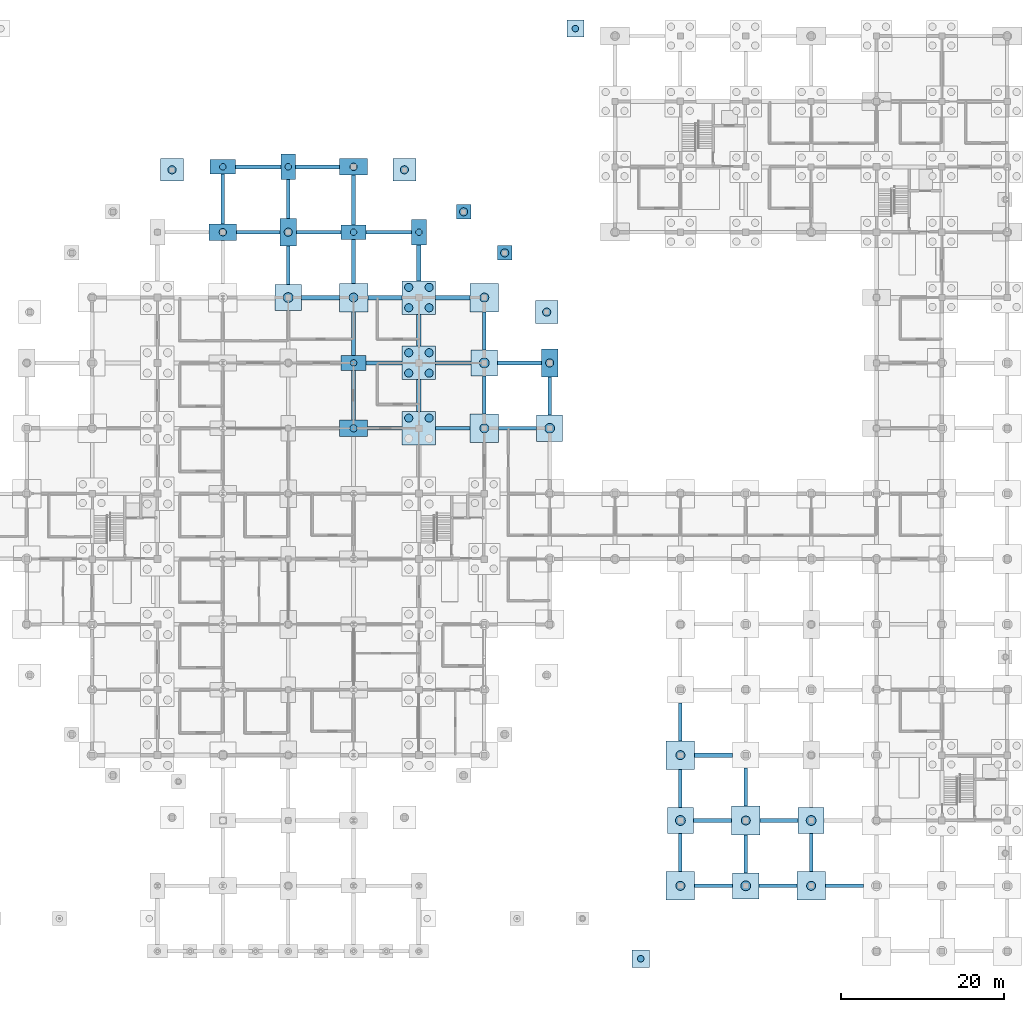
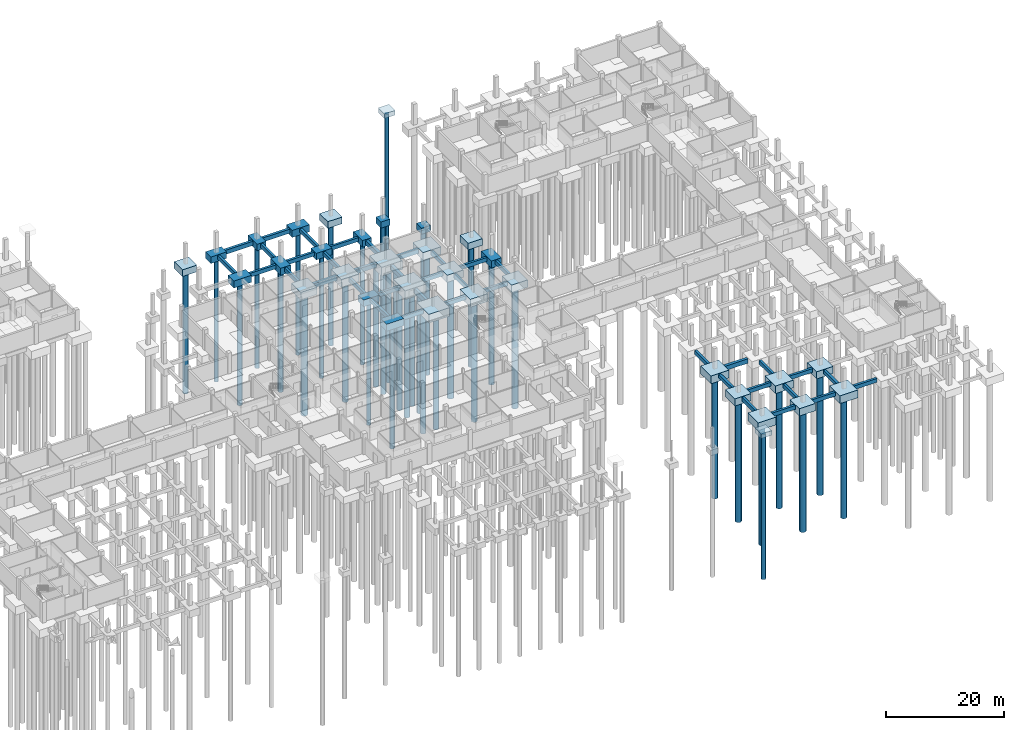
# One storey, part 8 of 48: 72 footings, 40 piles.
"""IFC4 building model written with IfcOpenShell, lengths in metres."""

from ifc_helpers import new_model, si_unit, derived_unit, direction, frame, origin, origin_2d, place, context, subcontext, project, spatial, rectangle, circle, extrude, material, material_profile, profile_set, type_object, element, save


model = new_model("IFC4")

# Units and contexts
model_context = context("Model", 3, precision=1e-05, world=origin(), true_north=direction((0.0, 1.0)))
body_context = subcontext(model_context, "Body", "Model", "MODEL_VIEW")
ifc_project = project(units=[si_unit("LENGTHUNIT", "METRE"), si_unit("AREAUNIT", "SQUARE_METRE"), si_unit("VOLUMEUNIT", "CUBIC_METRE"), si_unit("PLANEANGLEUNIT", "RADIAN"), si_unit("MASSUNIT", "GRAM", prefix="KILO"), derived_unit("THERMALTRANSMITTANCEUNIT", [(si_unit("MASSUNIT", "GRAM", prefix="KILO"), 1), (si_unit("TIMEUNIT", "SECOND"), -3), (si_unit("THERMODYNAMICTEMPERATUREUNIT", "KELVIN"), -1)])], contexts=[model_context])

# Site, building, storey
site_placement = place(None, origin())
site = spatial("IfcSite", under=ifc_project, at=site_placement, CompositionType="ELEMENT")
building_placement = place(site_placement, origin())
building = spatial("IfcBuilding", under=site, at=building_placement, Name="Veyamyaing Civic Hall", CompositionType="ELEMENT")
storey_placement = place(building_placement, frame((0.0, 0.0, -4.2900390625)))
storey = spatial("IfcBuildingStorey", under=building, at=storey_placement, Name="B1", CompositionType="ELEMENT", Elevation=-4.2900390625)

# Footings
ifc_material_1 = material(Name="Concrete C40/50", Category="concrete")
ifc_material_profile_1 = material_profile(ifc_material_1, rectangle(XDim=0.5, YDim=0.85009765625, at=origin_2d()), Name="GB-500X850")
ifc_profile_set_1 = profile_set([ifc_material_profile_1], Name="Concrete C40/50")
footing_type_1 = type_object("IfcFootingType", Name="GB-01", PredefinedType="FOOTING_BEAM", material=ifc_profile_set_1)
footing_1_placement = place(storey_placement, frame((81.550048828125, 96.0, -0.574951171875), z_axis=(1.0, 0.0, 0.0), x_axis=(0.0, 1.0, 0.0)))
element("IfcFooting", 1, at=footing_1_placement, inside=storey, type_object=footing_type_1, Name="Footing tie beam GB-01 X 10-12", PredefinedType="FOOTING_BEAM", context=body_context, shape_type="SweptSolid", body=[
    extrude(rectangle(XDim=0.5, YDim=0.85009765625, at=origin_2d()), origin(), (0.0, 0.0, 1.0), 5.550048828125),
])
footing_2_placement = place(storey_placement, frame((88.89990234375, 96.0, -0.574951171875), z_axis=(1.0, 0.0, 0.0), x_axis=(0.0, 1.0, 0.0)))
element("IfcFooting", 2, at=footing_2_placement, inside=storey, type_object=footing_type_1, Name="Footing tie beam GB-01 X 11-12", PredefinedType="FOOTING_BEAM", context=body_context, shape_type="SweptSolid", body=[
    extrude(rectangle(XDim=0.5, YDim=0.85009765625, at=origin_2d()), origin(), (0.0, 0.0, 1.0), 5.400146484375),
])
ifc_material_profile_2 = material_profile(ifc_material_1, rectangle(XDim=0.449951171875, YDim=0.800048828125, at=origin_2d()), Name="GB-450X800")
ifc_profile_set_2 = profile_set([ifc_material_profile_2], Name="Concrete C40/50")
footing_type_2 = type_object("IfcFootingType", Name="GB-02", PredefinedType="FOOTING_BEAM", material=ifc_profile_set_2)
footing_3_placement = place(storey_placement, frame((81.699951171875, 88.0, -0.550048828125), z_axis=(1.0, 0.0, 0.0), x_axis=(0.0, 1.0, 0.0)))
element("IfcFooting", 3, at=footing_3_placement, inside=storey, type_object=footing_type_2, Name="Footing tie beam GB-02 X 10-11", PredefinedType="FOOTING_BEAM", context=body_context, shape_type="SweptSolid", body=[
    extrude(rectangle(XDim=0.449951171875, YDim=0.800048828125, at=origin_2d()), origin(), (0.0, 0.0, 1.0), 5.300048828125),
])
footing_4_placement = place(storey_placement, frame((80.0, 89.0, -0.550048828125), z_axis=(0.0, 1.0, 0.0), x_axis=(-1.0, 0.0, 0.0)))
element("IfcFooting", 4, at=footing_4_placement, inside=storey, type_object=footing_type_2, Name="Footing tie beam GB-02 Y 10-11", PredefinedType="FOOTING_BEAM", context=body_context, shape_type="SweptSolid", body=[
    extrude(rectangle(XDim=0.449951171875, YDim=0.800048828125, at=origin_2d()), origin(), (0.0, 0.0, 1.0), 6.10009765625),
])
footing_5_placement = place(storey_placement, frame((88.0, 81.60009765625, -0.550048828125), z_axis=(0.0, 1.0, 0.0), x_axis=(-1.0, 0.0, 0.0)))
element("IfcFooting", 5, at=footing_5_placement, inside=storey, type_object=footing_type_2, Name="Footing tie beam GB-02 Y 11-10", PredefinedType="FOOTING_BEAM", context=body_context, shape_type="SweptSolid", body=[
    extrude(rectangle(XDim=0.449951171875, YDim=0.800048828125, at=origin_2d()), origin(), (0.0, 0.0, 1.0), 4.699951171875),
])
footing_6_placement = place(storey_placement, frame((89.0, 88.0, -0.550048828125), z_axis=(1.0, 0.0, 0.0), x_axis=(0.0, 1.0, 0.0)))
element("IfcFooting", 6, at=footing_6_placement, inside=storey, type_object=footing_type_2, Name="Footing tie beam GB-02 X 11-11", PredefinedType="FOOTING_BEAM", context=body_context, shape_type="SweptSolid", body=[
    extrude(rectangle(XDim=0.449951171875, YDim=0.800048828125, at=origin_2d()), origin(), (0.0, 0.0, 1.0), 5.449951171875),
])
footing_7_placement = place(storey_placement, frame((88.0, 89.699951171875, -0.550048828125), z_axis=(0.0, 1.0, 0.0), x_axis=(-1.0, 0.0, 0.0)))
element("IfcFooting", 7, at=footing_7_placement, inside=storey, type_object=footing_type_2, Name="Footing tie beam GB-02 Y 11-11", PredefinedType="FOOTING_BEAM", context=body_context, shape_type="SweptSolid", body=[
    extrude(rectangle(XDim=0.449951171875, YDim=0.800048828125, at=origin_2d()), origin(), (0.0, 0.0, 1.0), 4.75),
])
footing_8_placement = place(storey_placement, frame((97.699951171875, 64.0, -0.550048828125), z_axis=(1.0, 0.0, 0.0), x_axis=(0.0, 1.0, 0.0)))
element("IfcFooting", 8, at=footing_8_placement, inside=storey, type_object=footing_type_2, Name="Footing tie beam GB-02 X 12-8", PredefinedType="FOOTING_BEAM", context=body_context, shape_type="SweptSolid", body=[
    extrude(rectangle(XDim=0.449951171875, YDim=0.800048828125, at=origin_2d()), origin(), (0.0, 0.0, 1.0), 4.25),
])
footing_9_placement = place(storey_placement, frame((96.0, 65.0, -0.550048828125), z_axis=(0.0, 1.0, 0.0), x_axis=(-1.0, 0.0, 0.0)))
element("IfcFooting", 9, at=footing_9_placement, inside=storey, type_object=footing_type_2, Name="Footing tie beam GB-02 Y 12-8", PredefinedType="FOOTING_BEAM", context=body_context, shape_type="SweptSolid", body=[
    extrude(rectangle(XDim=0.449951171875, YDim=0.800048828125, at=origin_2d()), origin(), (0.0, 0.0, 1.0), 6.10009765625),
])
footing_10_placement = place(storey_placement, frame((97.550048828125, 72.0, -0.550048828125), z_axis=(1.0, 0.0, 0.0), x_axis=(0.0, 1.0, 0.0)))
element("IfcFooting", 10, at=footing_10_placement, inside=storey, type_object=footing_type_2, Name="Footing tie beam GB-02 X 12-9", PredefinedType="FOOTING_BEAM", context=body_context, shape_type="SweptSolid", body=[
    extrude(rectangle(XDim=0.449951171875, YDim=0.800048828125, at=origin_2d()), origin(), (0.0, 0.0, 1.0), 4.39990234375),
])
for number, where, z_axis, x_axis, name in (
    (11, (96.0, 72.89990234375, -0.550048828125), (0.0, 1.0, 0.0), (-1.0, 0.0, 0.0), "Footing tie beam GB-02 Y 12-9"),
    (12, (96.0, 81.75, -0.550048828125), (0.0, 1.0, 0.0), (-1.0, 0.0, 0.0), "Footing tie beam GB-02 Y 12-10"),
):
    element("IfcFooting", number, at=place(storey_placement, frame(where, z_axis=z_axis, x_axis=x_axis)), inside=storey, type_object=footing_type_2, Name=name, PredefinedType="FOOTING_BEAM", context=body_context, shape_type="SweptSolid", body=[
        extrude(rectangle(XDim=0.449951171875, YDim=0.800048828125, at=origin_2d()), origin(), (0.0, 0.0, 1.0), 5.35009765625),
    ])
footing_11_placement = place(storey_placement, frame((97.550048828125, 88.0, -0.550048828125), z_axis=(1.0, 0.0, 0.0), x_axis=(0.0, 1.0, 0.0)))
element("IfcFooting", 13, at=footing_11_placement, inside=storey, type_object=footing_type_2, Name="Footing tie beam GB-02 X 12-11", PredefinedType="FOOTING_BEAM", context=body_context, shape_type="SweptSolid", body=[
    extrude(rectangle(XDim=0.449951171875, YDim=0.800048828125, at=origin_2d()), origin(), (0.0, 0.0, 1.0), 5.550048828125),
])
footing_12_placement = place(storey_placement, frame((96.0, 88.89990234375, -0.550048828125), z_axis=(0.0, 1.0, 0.0), x_axis=(-1.0, 0.0, 0.0)))
element("IfcFooting", 14, at=footing_12_placement, inside=storey, type_object=footing_type_2, Name="Footing tie beam GB-02 Y 12-11", PredefinedType="FOOTING_BEAM", context=body_context, shape_type="SweptSolid", body=[
    extrude(rectangle(XDim=0.449951171875, YDim=0.800048828125, at=origin_2d()), origin(), (0.0, 0.0, 1.0), 6.10009765625),
])
footing_13_placement = place(storey_placement, frame((106.050048828125, 64.0, -0.550048828125), z_axis=(1.0, 0.0, 0.0), x_axis=(0.0, 1.0, 0.0)))
element("IfcFooting", 15, at=footing_13_placement, inside=storey, type_object=footing_type_2, Name="Footing tie beam GB-02 X 13-8", PredefinedType="FOOTING_BEAM", context=body_context, shape_type="SweptSolid", body=[
    extrude(rectangle(XDim=0.449951171875, YDim=0.800048828125, at=origin_2d()), origin(), (0.0, 0.0, 1.0), 4.199951171875),
])
footing_14_placement = place(storey_placement, frame((106.050048828125, 72.0, -0.550048828125), z_axis=(1.0, 0.0, 0.0), x_axis=(0.0, 1.0, 0.0)))
element("IfcFooting", 16, at=footing_14_placement, inside=storey, type_object=footing_type_2, Name="Footing tie beam GB-02 X 13-9", PredefinedType="FOOTING_BEAM", context=body_context, shape_type="SweptSolid", body=[
    extrude(rectangle(XDim=0.449951171875, YDim=0.800048828125, at=origin_2d()), origin(), (0.0, 0.0, 1.0), 4.349853515625),
])
for number, where, z_axis, x_axis, name in (
    (17, (113.75, 64.0, -0.550048828125), (1.0, 0.0, 0.0), (0.0, 1.0, 0.0), "Footing tie beam GB-02 X 14-8"),
    (18, (112.0, 65.75, -0.550048828125), (0.0, 1.0, 0.0), (-1.0, 0.0, 0.0), "Footing tie beam GB-02 Y 14-8"),
):
    element("IfcFooting", number, at=place(storey_placement, frame(where, z_axis=z_axis, x_axis=x_axis)), inside=storey, type_object=footing_type_2, Name=name, PredefinedType="FOOTING_BEAM", context=body_context, shape_type="SweptSolid", body=[
        extrude(rectangle(XDim=0.449951171875, YDim=0.800048828125, at=origin_2d()), origin(), (0.0, 0.0, 1.0), 4.64990234375),
    ])
footing_15_placement = place(storey_placement, frame((113.60009765625, 72.0, -0.550048828125), z_axis=(1.0, 0.0, 0.0), x_axis=(0.0, 1.0, 0.0)))
element("IfcFooting", 19, at=footing_15_placement, inside=storey, type_object=footing_type_2, Name="Footing tie beam GB-02 X 14-9", PredefinedType="FOOTING_BEAM", context=body_context, shape_type="SweptSolid", body=[
    extrude(rectangle(XDim=0.449951171875, YDim=0.800048828125, at=origin_2d()), origin(), (0.0, 0.0, 1.0), 5.39990234375),
])
footing_16_placement = place(storey_placement, frame((112.0, 73.60009765625, -0.550048828125), z_axis=(0.0, 1.0, 0.0), x_axis=(-1.0, 0.0, 0.0)))
element("IfcFooting", 20, at=footing_16_placement, inside=storey, type_object=footing_type_2, Name="Footing tie beam GB-02 Y 14-9", PredefinedType="FOOTING_BEAM", context=body_context, shape_type="SweptSolid", body=[
    extrude(rectangle(XDim=0.449951171875, YDim=0.800048828125, at=origin_2d()), origin(), (0.0, 0.0, 1.0), 4.64990234375),
])
footing_17_placement = place(storey_placement, frame((120.0, 65.60009765625, -0.550048828125), z_axis=(0.0, 1.0, 0.0), x_axis=(-1.0, 0.0, 0.0)))
element("IfcFooting", 21, at=footing_17_placement, inside=storey, type_object=footing_type_2, Name="Footing tie beam GB-02 Y 15-8", PredefinedType="FOOTING_BEAM", context=body_context, shape_type="SweptSolid", body=[
    extrude(rectangle(XDim=0.449951171875, YDim=0.800048828125, at=origin_2d()), origin(), (0.0, 0.0, 1.0), 4.699951171875),
])
for number, where, z_axis, x_axis, name in (
    (22, (137.75, 8.0, -0.550048828125), (1.0, 0.0, 0.0), (0.0, 1.0, 0.0), "Footing tie beam GB-02 X 17-1"),
    (23, (136.0, 9.75, -0.550048828125), (0.0, 1.0, 0.0), (-1.0, 0.0, 0.0), "Footing tie beam GB-02 Y 17-1"),
    (24, (137.60009765625, 16.0, -0.550048828125), (1.0, 0.0, 0.0), (0.0, 1.0, 0.0), "Footing tie beam GB-02 X 17-2"),
    (25, (136.0, 17.60009765625, -0.550048828125), (0.0, 1.0, 0.0), (-1.0, 0.0, 0.0), "Footing tie beam GB-02 Y 17-2"),
    (26, (136.0, 25.75, -0.550048828125), (0.0, 1.0, 0.0), (-1.0, 0.0, 0.0), "Footing tie beam GB-02 Y 17-3"),
    (27, (145.60009765625, 8.0, -0.550048828125), (1.0, 0.0, 0.0), (0.0, 1.0, 0.0), "Footing tie beam GB-02 X 18-1"),
    (28, (144.0, 9.60009765625, -0.550048828125), (0.0, 1.0, 0.0), (-1.0, 0.0, 0.0), "Footing tie beam GB-02 Y 18-1"),
    (29, (145.75, 16.0, -0.550048828125), (1.0, 0.0, 0.0), (0.0, 1.0, 0.0), "Footing tie beam GB-02 X 18-2"),
    (30, (144.0, 17.75, -0.550048828125), (0.0, 1.0, 0.0), (-1.0, 0.0, 0.0), "Footing tie beam GB-02 Y 18-2"),
    (31, (153.75, 8.0, -0.550048828125), (1.0, 0.0, 0.0), (0.0, 1.0, 0.0), "Footing tie beam GB-02 X 19-1"),
    (32, (152.0, 9.75, -0.550048828125), (0.0, 1.0, 0.0), (-1.0, 0.0, 0.0), "Footing tie beam GB-02 Y 19-1"),
):
    element("IfcFooting", number, at=place(storey_placement, frame(where, z_axis=z_axis, x_axis=x_axis)), inside=storey, type_object=footing_type_2, Name=name, PredefinedType="FOOTING_BEAM", context=body_context, shape_type="SweptSolid", body=[
        extrude(rectangle(XDim=0.449951171875, YDim=0.800048828125, at=origin_2d()), origin(), (0.0, 0.0, 1.0), 4.64990234375),
    ])
ifc_material_profile_3 = material_profile(ifc_material_1, rectangle(XDim=0.550048828125, YDim=0.89990234375, at=origin_2d()), Name="GB-550X900")
ifc_profile_set_3 = profile_set([ifc_material_profile_3], Name="Concrete C40/50")
footing_type_3 = type_object("IfcFootingType", Name="GB-04", PredefinedType="FOOTING_BEAM", material=ifc_profile_set_3)
footing_18_placement = place(storey_placement, frame((89.60009765625, 80.0, -0.599853515625), z_axis=(1.0, 0.0, 0.0), x_axis=(0.0, 1.0, 0.0)))
element("IfcFooting", 33, at=footing_18_placement, inside=storey, type_object=footing_type_3, Name="Footing tie beam GB-04 X 11-10", PredefinedType="FOOTING_BEAM", context=body_context, shape_type="SweptSolid", body=[
    extrude(rectangle(XDim=0.550048828125, YDim=0.89990234375, at=origin_2d()), origin(), (0.0, 0.0, 1.0), 4.64990234375),
])
footing_19_placement = place(storey_placement, frame((97.75, 80.0, -0.599853515625), z_axis=(1.0, 0.0, 0.0), x_axis=(0.0, 1.0, 0.0)))
element("IfcFooting", 34, at=footing_19_placement, inside=storey, type_object=footing_type_3, Name="Footing tie beam GB-04 X 12-10", PredefinedType="FOOTING_BEAM", context=body_context, shape_type="SweptSolid", body=[
    extrude(rectangle(XDim=0.550048828125, YDim=0.89990234375, at=origin_2d()), origin(), (0.0, 0.0, 1.0), 4.199951171875),
])
for number, where, z_axis, x_axis, name in (
    (35, (104.0, 66.050048828125, -0.599853515625), (0.0, 1.0, 0.0), (-1.0, 0.0, 0.0), "Footing tie beam GB-04 Y 13-8"),
    (36, (104.0, 74.050048828125, -0.599853515625), (0.0, 1.0, 0.0), (-1.0, 0.0, 0.0), "Footing tie beam GB-04 Y 13-9"),
):
    element("IfcFooting", number, at=place(storey_placement, frame(where, z_axis=z_axis, x_axis=x_axis)), inside=storey, type_object=footing_type_3, Name=name, PredefinedType="FOOTING_BEAM", context=body_context, shape_type="SweptSolid", body=[
        extrude(rectangle(XDim=0.550048828125, YDim=0.89990234375, at=origin_2d()), origin(), (0.0, 0.0, 1.0), 3.89990234375),
    ])
footing_20_placement = place(storey_placement, frame((106.050048828125, 80.0, -0.599853515625), z_axis=(1.0, 0.0, 0.0), x_axis=(0.0, 1.0, 0.0)))
element("IfcFooting", 37, at=footing_20_placement, inside=storey, type_object=footing_type_3, Name="Footing tie beam GB-04 X 13-10", PredefinedType="FOOTING_BEAM", context=body_context, shape_type="SweptSolid", body=[
    extrude(rectangle(XDim=0.550048828125, YDim=0.89990234375, at=origin_2d()), origin(), (0.0, 0.0, 1.0), 4.199951171875),
])
footing_21_placement = place(storey_placement, frame((104.0, 82.050048828125, -0.599853515625), z_axis=(0.0, 1.0, 0.0), x_axis=(-1.0, 0.0, 0.0)))
element("IfcFooting", 38, at=footing_21_placement, inside=storey, type_object=footing_type_3, Name="Footing tie beam GB-04 Y 13-10", PredefinedType="FOOTING_BEAM", context=body_context, shape_type="SweptSolid", body=[
    extrude(rectangle(XDim=0.550048828125, YDim=0.89990234375, at=origin_2d()), origin(), (0.0, 0.0, 1.0), 4.39990234375),
])
footing_22_placement = place(storey_placement, frame((137.75, 24.0, -0.599853515625), z_axis=(1.0, 0.0, 0.0), x_axis=(0.0, 1.0, 0.0)))
element("IfcFooting", 39, at=footing_22_placement, inside=storey, type_object=footing_type_3, Name="Footing tie beam GB-04 X 17-3", PredefinedType="FOOTING_BEAM", context=body_context, shape_type="SweptSolid", body=[
    extrude(rectangle(XDim=0.550048828125, YDim=0.89990234375, at=origin_2d()), origin(), (0.0, 0.0, 1.0), 4.64990234375),
])

# Piles
ifc_material_2 = material(Name="Concrete C35/45", Category="concrete")
ifc_material_profile_4 = material_profile(ifc_material_2, circle(Radius=0.60009765625, at=origin_2d()), Name="PILE-D1200")
ifc_profile_set_4 = profile_set([ifc_material_profile_4], Name="Concrete C35/45")
pile_type_1 = type_object("IfcPileType", Name="P-01", PredefinedType="BORED", material=ifc_profile_set_4)
for number, where, z_axis, x_axis, name in (
    (40, (88.0, 80.0, -1.39990234375), (0.0, 0.0, -1.0), (1.0, 0.0, 0.0), "Bored pile P-01 G11-10.1"),
    (41, (112.0, 72.0, -1.39990234375), (0.0, 0.0, -1.0), (1.0, 0.0, 0.0), "Bored pile P-01 G14-09.1"),
    (42, (120.0, 64.0, -1.39990234375), (0.0, 0.0, -1.0), (1.0, 0.0, 0.0), "Bored pile P-01 G15-08.1"),
    (43, (136.0, 16.0, -1.39990234375), (0.0, 0.0, -1.0), (1.0, 0.0, 0.0), "Bored pile P-01 G17-02.1"),
    (44, (144.0, 8.0, -1.39990234375), (0.0, 0.0, -1.0), (1.0, 0.0, 0.0), "Bored pile P-01 G18-01.1"),
    (45, (152.0, 16.0, -1.39990234375), (0.0, 0.0, -1.0), (1.0, 0.0, 0.0), "Bored pile P-01 G19-02.1"),
):
    element("IfcPile", number, at=place(storey_placement, frame(where, z_axis=z_axis, x_axis=x_axis)), inside=storey, type_object=pile_type_1, Name=name, PredefinedType="BORED", context=body_context, shape_type="SweptSolid", body=[
        extrude(circle(Radius=0.60009765625, at=origin_2d()), origin(), (0.0, 0.0, 1.0), 25.31005859375),
    ])
ifc_material_profile_5 = material_profile(ifc_material_2, circle(Radius=0.550048828125, at=origin_2d()), Name="PILE-D1100")
ifc_profile_set_5 = profile_set([ifc_material_profile_5], Name="Concrete C35/45")
pile_type_2 = type_object("IfcPileType", Name="P-02", PredefinedType="BORED", material=ifc_profile_set_5)
for number, where, z_axis, x_axis, name in (
    (46, (96.0, 80.0, -1.5), (0.0, 0.0, -1.0), (1.0, 0.0, 0.0), "Bored pile P-02 G12-10.1"),
    (47, (112.0, 64.0, -1.5), (0.0, 0.0, -1.0), (1.0, 0.0, 0.0), "Bored pile P-02 G14-08.1"),
    (48, (112.0, 80.0, -1.5), (0.0, 0.0, -1.0), (1.0, 0.0, 0.0), "Bored pile P-02 G14-10.1"),
    (49, (136.0, 8.0, -1.5), (0.0, 0.0, -1.0), (1.0, 0.0, 0.0), "Bored pile P-02 G17-01.1"),
    (50, (136.0, 24.0, -1.5), (0.0, 0.0, -1.0), (1.0, 0.0, 0.0), "Bored pile P-02 G17-03.1"),
    (51, (144.0, 16.0, -1.5), (0.0, 0.0, -1.0), (1.0, 0.0, 0.0), "Bored pile P-02 G18-02.1"),
    (52, (152.0, 8.0, -1.5), (0.0, 0.0, -1.0), (1.0, 0.0, 0.0), "Bored pile P-02 G19-01.1"),
):
    element("IfcPile", number, at=place(storey_placement, frame(where, z_axis=z_axis, x_axis=x_axis)), inside=storey, type_object=pile_type_2, Name=name, PredefinedType="BORED", context=body_context, shape_type="SweptSolid", body=[
        extrude(circle(Radius=0.550048828125, at=origin_2d()), origin(), (0.0, 0.0, 1.0), 25.2099609375),
    ])
ifc_material_profile_6 = material_profile(ifc_material_2, circle(Radius=0.5, at=origin_2d()), Name="PILE-D1000")
ifc_profile_set_6 = profile_set([ifc_material_profile_6], Name="Concrete C35/45")
pile_type_3 = type_object("IfcPileType", Name="P-03", PredefinedType="BORED", material=ifc_profile_set_6)
pile_1_placement = place(storey_placement, frame((88.0, 88.0, -1.349853515625), z_axis=(0.0, 0.0, -1.0), x_axis=(1.0, 0.0, 0.0)))
element("IfcPile", 53, at=pile_1_placement, inside=storey, type_object=pile_type_3, Name="Bored pile P-03 G11-11.1", PredefinedType="BORED", context=body_context, shape_type="SweptSolid", body=[
    extrude(circle(Radius=0.5, at=origin_2d()), origin(), (0.0, 0.0, 1.0), 25.360107421875),
])
for number, where, z_axis, x_axis, name in (
    (54, (102.75, 65.25, -1.699951171875), (0.0, 0.0, -1.0), (1.0, 0.0, 0.0), "Bored pile P-03 G13-08.2"),
    (55, (105.25, 65.25, -1.699951171875), (0.0, 0.0, -1.0), (1.0, 0.0, 0.0), "Bored pile P-03 G13-08.4"),
    (56, (102.75, 70.75, -1.699951171875), (0.0, 0.0, -1.0), (1.0, 0.0, 0.0), "Bored pile P-03 G13-09.1"),
    (57, (102.75, 73.25, -1.699951171875), (0.0, 0.0, -1.0), (1.0, 0.0, 0.0), "Bored pile P-03 G13-09.2"),
    (58, (105.25, 70.75, -1.699951171875), (0.0, 0.0, -1.0), (1.0, 0.0, 0.0), "Bored pile P-03 G13-09.3"),
    (59, (105.25, 73.25, -1.699951171875), (0.0, 0.0, -1.0), (1.0, 0.0, 0.0), "Bored pile P-03 G13-09.4"),
    (60, (102.75, 78.75, -1.699951171875), (0.0, 0.0, -1.0), (1.0, 0.0, 0.0), "Bored pile P-03 G13-10.1"),
    (61, (102.75, 81.25, -1.699951171875), (0.0, 0.0, -1.0), (1.0, 0.0, 0.0), "Bored pile P-03 G13-10.2"),
    (62, (105.25, 78.75, -1.699951171875), (0.0, 0.0, -1.0), (1.0, 0.0, 0.0), "Bored pile P-03 G13-10.3"),
    (63, (105.25, 81.25, -1.699951171875), (0.0, 0.0, -1.0), (1.0, 0.0, 0.0), "Bored pile P-03 G13-10.4"),
):
    element("IfcPile", number, at=place(storey_placement, frame(where, z_axis=z_axis, x_axis=x_axis)), inside=storey, type_object=pile_type_3, Name=name, PredefinedType="BORED", context=body_context, shape_type="SweptSolid", body=[
        extrude(circle(Radius=0.5, at=origin_2d()), origin(), (0.0, 0.0, 1.0), 25.010009765625),
    ])
pile_2_placement = place(storey_placement, frame((120.0, 72.0, -1.349853515625), z_axis=(0.0, 0.0, -1.0), x_axis=(1.0, 0.0, 0.0)))
element("IfcPile", 64, at=pile_2_placement, inside=storey, type_object=pile_type_3, Name="Bored pile P-03 G15-09.1", PredefinedType="BORED", context=body_context, shape_type="SweptSolid", body=[
    extrude(circle(Radius=0.5, at=origin_2d()), origin(), (0.0, 0.0, 1.0), 25.360107421875),
])
pile_3_placement = place(storey_placement, frame((119.63623046875, 78.220703125, -1.300048828125), z_axis=(0.0, 0.0, -1.0), x_axis=(1.0, 0.0, 0.0)))
element("IfcPile", 65, at=pile_3_placement, inside=storey, type_object=pile_type_3, Name="Bored pile P-03 ARC-NE-00.1", PredefinedType="BORED", context=body_context, shape_type="SweptSolid", body=[
    extrude(circle(Radius=0.5, at=origin_2d()), origin(), (0.0, 0.0, 1.0), 25.409912109375),
])
for number, where, z_axis, x_axis, name in (
    (66, (114.4951171875, 85.466552734375, -1.14990234375), (0.0, 0.0, -1.0), (1.0, 0.0, 0.0), "Bored pile P-03 ARC-NE-05.1"),
    (67, (109.466552734375, 90.4951171875, -1.14990234375), (0.0, 0.0, -1.0), (1.0, 0.0, 0.0), "Bored pile P-03 ARC-NE-09.1"),
):
    element("IfcPile", number, at=place(storey_placement, frame(where, z_axis=z_axis, x_axis=x_axis)), inside=storey, type_object=pile_type_3, Name=name, PredefinedType="BORED", context=body_context, shape_type="SweptSolid", body=[
        extrude(circle(Radius=0.5, at=origin_2d()), origin(), (0.0, 0.0, 1.0), 25.56005859375),
    ])
for number, where, z_axis, x_axis, name in (
    (68, (102.220703125, 95.63623046875, -1.300048828125), (0.0, 0.0, -1.0), (1.0, 0.0, 0.0), "Bored pile P-03 ARC-NE-14.1"),
    (69, (73.779296875, 95.63623046875, -1.300048828125), (0.0, 0.0, -1.0), (1.0, 0.0, 0.0), "Bored pile P-03 ARC-NW-00.1"),
):
    element("IfcPile", number, at=place(storey_placement, frame(where, z_axis=z_axis, x_axis=x_axis)), inside=storey, type_object=pile_type_3, Name=name, PredefinedType="BORED", context=body_context, shape_type="SweptSolid", body=[
        extrude(circle(Radius=0.5, at=origin_2d()), origin(), (0.0, 0.0, 1.0), 25.409912109375),
    ])
ifc_material_profile_7 = material_profile(ifc_material_2, circle(Radius=0.449951171875, at=origin_2d()), Name="PILE-D900")
ifc_profile_set_7 = profile_set([ifc_material_profile_7], Name="Concrete C35/45")
pile_type_4 = type_object("IfcPileType", Name="P-04", PredefinedType="BORED", material=ifc_profile_set_7)
for number, where, z_axis, x_axis, name in (
    (70, (80.0, 88.0, -1.349853515625), (0.0, 0.0, -1.0), (1.0, 0.0, 0.0), "Bored pile P-04 G10-11.1"),
    (71, (96.0, 64.0, -1.349853515625), (0.0, 0.0, -1.0), (1.0, 0.0, 0.0), "Bored pile P-04 G12-08.1"),
    (72, (96.0, 96.0, -1.349853515625), (0.0, 0.0, -1.0), (1.0, 0.0, 0.0), "Bored pile P-04 G12-12.1"),
):
    element("IfcPile", number, at=place(storey_placement, frame(where, z_axis=z_axis, x_axis=x_axis)), inside=storey, type_object=pile_type_4, Name=name, PredefinedType="BORED", context=body_context, shape_type="SweptSolid", body=[
        extrude(circle(Radius=0.449951171875, at=origin_2d()), origin(), (0.0, 0.0, 1.0), 25.360107421875),
    ])
ifc_material_profile_8 = material_profile(ifc_material_2, circle(Radius=0.39990234375, at=origin_2d()), Name="PILE-D800")
ifc_profile_set_8 = profile_set([ifc_material_profile_8], Name="Concrete C35/45")
pile_type_5 = type_object("IfcPileType", Name="P-05", PredefinedType="BORED", material=ifc_profile_set_8)
for number, where, z_axis, x_axis, name in (
    (73, (80.0, 96.0, -1.25), (0.0, 0.0, -1.0), (1.0, 0.0, 0.0), "Bored pile P-05 G10-12.1"),
    (74, (88.0, 96.0, -1.25), (0.0, 0.0, -1.0), (1.0, 0.0, 0.0), "Bored pile P-05 G11-12.1"),
    (75, (96.0, 72.0, -1.25), (0.0, 0.0, -1.0), (1.0, 0.0, 0.0), "Bored pile P-05 G12-09.1"),
    (76, (96.0, 88.0, -1.25), (0.0, 0.0, -1.0), (1.0, 0.0, 0.0), "Bored pile P-05 G12-11.1"),
    (77, (104.0, 88.0, -1.25), (0.0, 0.0, -1.0), (1.0, 0.0, 0.0), "Bored pile P-05 G13-11.1"),
):
    element("IfcPile", number, at=place(storey_placement, frame(where, z_axis=z_axis, x_axis=x_axis)), inside=storey, type_object=pile_type_5, Name=name, PredefinedType="BORED", context=body_context, shape_type="SweptSolid", body=[
        extrude(circle(Radius=0.39990234375, at=origin_2d()), origin(), (0.0, 0.0, 1.0), 25.4599609375),
    ])
for number, where, z_axis, x_axis, name in (
    (78, (131.14990234375, -0.919921875, 3.300048828125), (0.0, 0.0, -1.0), (1.0, 0.0, 0.0), "Bored pile P-05 RMP-SE.1"),
    (79, (123.14990234375, 112.919921875, 3.300048828125), (0.0, 0.0, -1.0), (1.0, 0.0, 0.0), "Bored pile P-05 RMP-NE.1"),
):
    element("IfcPile", number, at=place(storey_placement, frame(where, z_axis=z_axis, x_axis=x_axis)), inside=storey, type_object=pile_type_5, Name=name, PredefinedType="BORED", context=body_context, shape_type="SweptSolid", body=[
        extrude(circle(Radius=0.39990234375, at=origin_2d()), origin(), (0.0, 0.0, 1.0), 30.010009765625),
    ])

# Footings
footing_type_4 = type_object("IfcFootingType", Name="PC-02", PredefinedType="PILE_CAP", material=ifc_material_1)
for number, where, z_axis, x_axis, name in (
    (80, (96.0, 80.0, -1.60009765625), (0.0, 0.0, 1.0), (1.0, 0.0, 0.0), "Pile cap PC-02 G12-10"),
    (81, (112.0, 64.0, -1.60009765625), (0.0, 0.0, 1.0), (1.0, 0.0, 0.0), "Pile cap PC-02 G14-08"),
    (82, (112.0, 80.0, -1.60009765625), (0.0, 0.0, 1.0), (1.0, 0.0, 0.0), "Pile cap PC-02 G14-10"),
    (83, (136.0, 8.0, -1.60009765625), (0.0, 0.0, 1.0), (1.0, 0.0, 0.0), "Pile cap PC-02 G17-01"),
    (84, (136.0, 24.0, -1.60009765625), (0.0, 0.0, 1.0), (1.0, 0.0, 0.0), "Pile cap PC-02 G17-03"),
    (85, (144.0, 16.0, -1.60009765625), (0.0, 0.0, 1.0), (1.0, 0.0, 0.0), "Pile cap PC-02 G18-02"),
    (86, (152.0, 8.0, -1.60009765625), (0.0, 0.0, 1.0), (1.0, 0.0, 0.0), "Pile cap PC-02 G19-01"),
):
    element("IfcFooting", number, at=place(storey_placement, frame(where, z_axis=z_axis, x_axis=x_axis)), inside=storey, type_object=footing_type_4, Name=name, PredefinedType="PILE_CAP", context=body_context, shape_type="SweptSolid", body=[
        extrude(rectangle(XDim=3.5, YDim=3.5, at=origin_2d()), origin(), (0.0, 0.0, 1.0), 1.60009765625),
    ])
footing_type_5 = type_object("IfcFootingType", Name="PC-03", PredefinedType="PILE_CAP", material=ifc_material_1)
for number, where, z_axis, x_axis, name in (
    (87, (88.0, 80.0, -1.5), (0.0, 0.0, 1.0), (1.0, 0.0, 0.0), "Pile cap PC-03 G11-10"),
    (88, (112.0, 72.0, -1.5), (0.0, 0.0, 1.0), (1.0, 0.0, 0.0), "Pile cap PC-03 G14-09"),
    (89, (120.0, 64.0, -1.5), (0.0, 0.0, 1.0), (1.0, 0.0, 0.0), "Pile cap PC-03 G15-08"),
    (90, (136.0, 16.0, -1.5), (0.0, 0.0, 1.0), (1.0, 0.0, 0.0), "Pile cap PC-03 G17-02"),
    (91, (144.0, 8.0, -1.5), (0.0, 0.0, 1.0), (1.0, 0.0, 0.0), "Pile cap PC-03 G18-01"),
    (92, (152.0, 16.0, -1.5), (0.0, 0.0, 1.0), (1.0, 0.0, 0.0), "Pile cap PC-03 G19-02"),
):
    element("IfcFooting", number, at=place(storey_placement, frame(where, z_axis=z_axis, x_axis=x_axis)), inside=storey, type_object=footing_type_5, Name=name, PredefinedType="PILE_CAP", context=body_context, shape_type="SweptSolid", body=[
        extrude(rectangle(XDim=3.199951171875, YDim=3.199951171875, at=origin_2d()), origin(), (0.0, 0.0, 1.0), 1.5),
    ])
footing_type_6 = type_object("IfcFootingType", Name="PC-04", PredefinedType="PILE_CAP", material=ifc_material_1)
for number, where, z_axis, x_axis, name in (
    (93, (80.0, 88.0, -1.44970703125), (0.0, 0.0, 1.0), (1.0, 0.0, 0.0), "Pile cap PC-04 G10-11"),
    (94, (96.0, 64.0, -1.44970703125), (0.0, 0.0, 1.0), (1.0, 0.0, 0.0), "Pile cap PC-04 G12-08"),
    (95, (96.0, 96.0, -1.44970703125), (0.0, 0.0, 1.0), (1.0, 0.0, 0.0), "Pile cap PC-04 G12-12"),
):
    element("IfcFooting", number, at=place(storey_placement, frame(where, z_axis=z_axis, x_axis=x_axis)), inside=storey, type_object=footing_type_6, Name=name, PredefinedType="PILE_CAP", context=body_context, shape_type="SweptSolid", body=[
        extrude(rectangle(XDim=3.39990234375, YDim=2.0, at=origin_2d()), origin(), (0.0, 0.0, 1.0), 1.449951171875),
    ])
footing_type_7 = type_object("IfcFootingType", Name="PC-05", PredefinedType="PILE_CAP", material=ifc_material_1)
for number, where, z_axis, x_axis, name in (
    (96, (88.0, 88.0, -1.44970703125), (0.0, 0.0, 1.0), (1.0, 0.0, 0.0), "Pile cap PC-05 G11-11"),
    (97, (120.0, 72.0, -1.44970703125), (0.0, 0.0, 1.0), (1.0, 0.0, 0.0), "Pile cap PC-05 G15-09"),
):
    element("IfcFooting", number, at=place(storey_placement, frame(where, z_axis=z_axis, x_axis=x_axis)), inside=storey, type_object=footing_type_7, Name=name, PredefinedType="PILE_CAP", context=body_context, shape_type="SweptSolid", body=[
        extrude(rectangle(XDim=2.0, YDim=3.39990234375, at=origin_2d()), origin(), (0.0, 0.0, 1.0), 1.449951171875),
    ])
footing_type_8 = type_object("IfcFootingType", Name="PC-06", PredefinedType="PILE_CAP", material=ifc_material_1)
for number, where, z_axis, x_axis, name in (
    (98, (80.0, 96.0, -1.35009765625), (0.0, 0.0, 1.0), (1.0, 0.0, 0.0), "Pile cap PC-06 G10-12"),
    (99, (96.0, 72.0, -1.35009765625), (0.0, 0.0, 1.0), (1.0, 0.0, 0.0), "Pile cap PC-06 G12-09"),
    (100, (96.0, 88.0, -1.35009765625), (0.0, 0.0, 1.0), (1.0, 0.0, 0.0), "Pile cap PC-06 G12-11"),
):
    element("IfcFooting", number, at=place(storey_placement, frame(where, z_axis=z_axis, x_axis=x_axis)), inside=storey, type_object=footing_type_8, Name=name, PredefinedType="PILE_CAP", context=body_context, shape_type="SweptSolid", body=[
        extrude(rectangle(XDim=3.10009765625, YDim=1.800048828125, at=origin_2d()), origin(), (0.0, 0.0, 1.0), 1.35009765625),
    ])
footing_type_9 = type_object("IfcFootingType", Name="PC-07", PredefinedType="PILE_CAP", material=ifc_material_1)
for number, where, z_axis, x_axis, name in (
    (101, (88.0, 96.0, -1.35009765625), (0.0, 0.0, 1.0), (1.0, 0.0, 0.0), "Pile cap PC-07 G11-12"),
    (102, (104.0, 88.0, -1.35009765625), (0.0, 0.0, 1.0), (1.0, 0.0, 0.0), "Pile cap PC-07 G13-11"),
):
    element("IfcFooting", number, at=place(storey_placement, frame(where, z_axis=z_axis, x_axis=x_axis)), inside=storey, type_object=footing_type_9, Name=name, PredefinedType="PILE_CAP", context=body_context, shape_type="SweptSolid", body=[
        extrude(rectangle(XDim=1.800048828125, YDim=3.10009765625, at=origin_2d()), origin(), (0.0, 0.0, 1.0), 1.35009765625),
    ])
footing_type_10 = type_object("IfcFootingType", Name="PC-08", PredefinedType="PILE_CAP", material=ifc_material_1)
for number, where, z_axis, x_axis, name in (
    (103, (119.63623046875, 78.220703125, -1.39990234375), (0.0, 0.0, 1.0), (1.0, 0.0, 0.0), "Pile cap PC-08 ARC-NE-00"),
    (104, (102.220703125, 95.63623046875, -1.39990234375), (0.0, 0.0, 1.0), (1.0, 0.0, 0.0), "Pile cap PC-08 ARC-NE-14"),
    (105, (73.779296875, 95.63623046875, -1.39990234375), (0.0, 0.0, 1.0), (1.0, 0.0, 0.0), "Pile cap PC-08 ARC-NW-00"),
):
    element("IfcFooting", number, at=place(storey_placement, frame(where, z_axis=z_axis, x_axis=x_axis)), inside=storey, type_object=footing_type_10, Name=name, PredefinedType="PILE_CAP", context=body_context, shape_type="SweptSolid", body=[
        extrude(rectangle(XDim=2.800048828125, YDim=2.800048828125, at=origin_2d()), origin(), (0.0, 0.0, 1.0), 1.39990234375),
    ])
footing_type_11 = type_object("IfcFootingType", Name="PC-11", PredefinedType="PILE_CAP", material=ifc_material_1)
for number, where, z_axis, x_axis, name in (
    (106, (104.0, 64.0, -1.7998046875), (0.0, 0.0, 1.0), (1.0, 0.0, 0.0), "Pile cap PC-11 G13-08"),
    (107, (104.0, 72.0, -1.7998046875), (0.0, 0.0, 1.0), (1.0, 0.0, 0.0), "Pile cap PC-11 G13-09"),
    (108, (104.0, 80.0, -1.7998046875), (0.0, 0.0, 1.0), (1.0, 0.0, 0.0), "Pile cap PC-11 G13-10"),
):
    element("IfcFooting", number, at=place(storey_placement, frame(where, z_axis=z_axis, x_axis=x_axis)), inside=storey, type_object=footing_type_11, Name=name, PredefinedType="PILE_CAP", context=body_context, shape_type="SweptSolid", body=[
        extrude(rectangle(XDim=4.10009765625, YDim=4.10009765625, at=origin_2d()), origin(), (0.0, 0.0, 1.0), 1.800048828125),
    ])
footing_type_12 = type_object("IfcFootingType", Name="PC-13", PredefinedType="PILE_CAP", material=ifc_material_1)
for number, where, z_axis, x_axis, name in (
    (109, (131.14990234375, -0.919921875, 3.2001953125), (0.0, 0.0, 1.0), (1.0, 0.0, 0.0), "Pile cap PC-13 RMP-SE"),
    (110, (123.14990234375, 112.919921875, 3.2001953125), (0.0, 0.0, 1.0), (1.0, 0.0, 0.0), "Pile cap PC-13 RMP-NE"),
):
    element("IfcFooting", number, at=place(storey_placement, frame(where, z_axis=z_axis, x_axis=x_axis)), inside=storey, type_object=footing_type_12, Name=name, PredefinedType="PILE_CAP", context=body_context, shape_type="SweptSolid", body=[
        extrude(rectangle(XDim=2.10009765625, YDim=2.10009765625, at=origin_2d()), origin(), (0.0, 0.0, 1.0), 0.949951171875),
    ])
footing_type_13 = type_object("IfcFootingType", Name="PC-15", PredefinedType="PILE_CAP", material=ifc_material_1)
for number, where, z_axis, x_axis, name in (
    (111, (114.4951171875, 85.466552734375, -1.25), (0.0, 0.0, 1.0), (1.0, 0.0, 0.0), "Pile cap PC-15 ARC-NE-05"),
    (112, (109.466552734375, 90.4951171875, -1.25), (0.0, 0.0, 1.0), (1.0, 0.0, 0.0), "Pile cap PC-15 ARC-NE-09"),
):
    element("IfcFooting", number, at=place(storey_placement, frame(where, z_axis=z_axis, x_axis=x_axis)), inside=storey, type_object=footing_type_13, Name=name, PredefinedType="PILE_CAP", context=body_context, shape_type="SweptSolid", body=[
        extrude(rectangle(XDim=1.75, YDim=1.75, at=origin_2d()), origin(), (0.0, 0.0, 1.0), 1.25),
    ])

save(model, "model.ifc")
